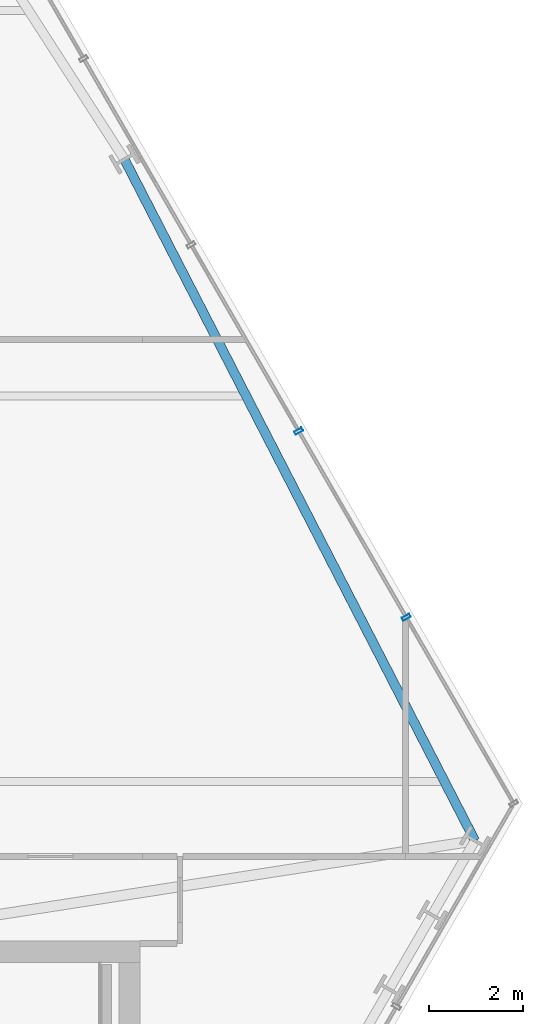
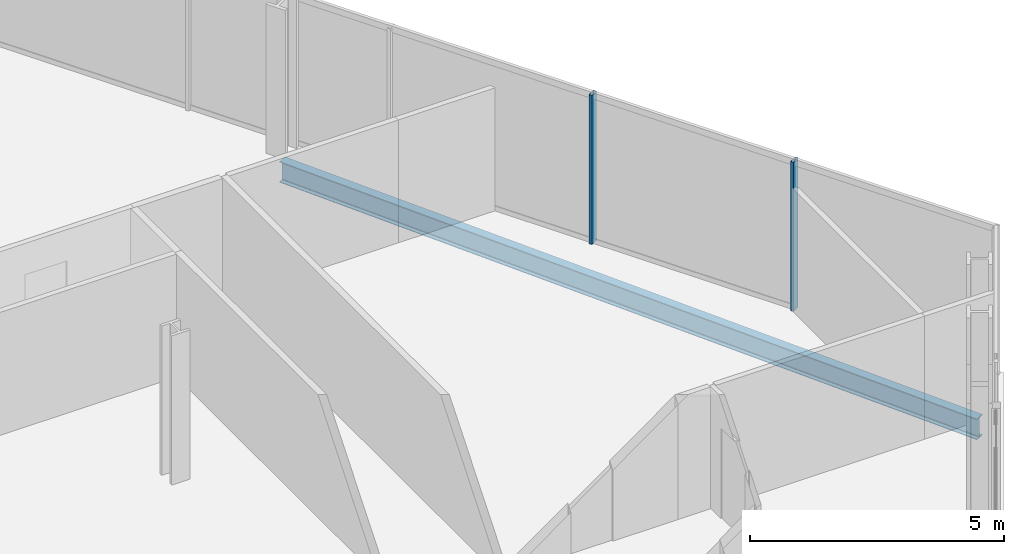
# One storey, part 19 of 32: 2 members, 1 beam, 1 element without a shape of its own.
"""IFC4 building model written with IfcOpenShell, lengths in metres."""

from ifc_helpers import new_model, si_unit, direction, frame, origin, origin_2d, place, context, subcontext, project, spatial, hollow_rectangle, i_section, extrude, material, layer, layer_set, material_profile, profile_set, type_object, element, aggregate, save


model = new_model("IFC4")

# Units and contexts
model_context = context("Model", 3, precision=1e-05, world=origin(), true_north=direction((0.0, 1.0)))
body_context = subcontext(model_context, "Body", "Model", "MODEL_VIEW")
ifc_project = project(units=[si_unit("LENGTHUNIT", "METRE"), si_unit("AREAUNIT", "SQUARE_METRE"), si_unit("VOLUMEUNIT", "CUBIC_METRE"), si_unit("PLANEANGLEUNIT", "RADIAN"), si_unit("MASSUNIT", "GRAM", prefix="KILO")], contexts=[model_context])

# Site, building, storey
site_placement = place(None, origin())
site = spatial("IfcSite", under=ifc_project, at=site_placement, CompositionType="ELEMENT")
building_placement = place(site_placement, origin())
building = spatial("IfcBuilding", under=site, at=building_placement, Name="Ndaravel Arena Tower", CompositionType="ELEMENT")
storey_placement = place(building_placement, frame((0.0, 0.0, 74.0)))
storey = spatial("IfcBuildingStorey", under=building, at=storey_placement, Name="L16", CompositionType="ELEMENT", Elevation=74.0)

# Beam
ifc_material_1 = material(Name="Steel S355", Category="steel")
ifc_material_profile_1 = material_profile(ifc_material_1, i_section(OverallWidth=0.199951171875, OverallDepth=0.5, WebThickness=0.01025390625, FlangeThickness=0.01611328125, FilletRadius=0.02099609375, at=origin_2d()), Name="IPE 500")
ifc_profile_set_1 = profile_set([ifc_material_profile_1], Name="Steel S355")
beam_type = type_object("IfcBeamType", Name="BM-SPAN-IPE500", PredefinedType="SPANDREL", material=ifc_profile_set_1)
beam_placement = place(storey_placement, frame((64.675537109375, 17.336669921875, -0.469970703125), z_axis=(-0.457437664156, 0.8892416901, 0.0), x_axis=(-0.8892416901, -0.457437664156, 0.0)))
element("IfcBeam", 1, at=beam_placement, inside=storey, type_object=beam_type, Name="L16 Perimeter Spandrel Beam SP-09", PredefinedType="SPANDREL", context=body_context, shape_type="SweptSolid", body=[
    extrude(i_section(OverallWidth=0.199951171875, OverallDepth=0.5, WebThickness=0.01025390625, FlangeThickness=0.01611328125, FilletRadius=0.02099609375, at=origin_2d()), origin(), (0.0, 0.0, 1.0), 16.305419921875),
])

# Curtain wall, members
ifc_material_2 = material(Name="Aluminium", Category="aluminium")
ifc_layer = layer(ifc_material_2, 0.179931640625)
ifc_layer_set = layer_set([ifc_layer], Name="Aluminium")
curtain_wall_type = type_object("IfcCurtainWallType", Name="CW-SYS-03", PredefinedType="NOTDEFINED", material=ifc_layer_set)
curtain_wall_placement = place(storey_placement, origin())
curtain_wall = element("IfcCurtainWall", 2, at=curtain_wall_placement, inside=storey, type_object=curtain_wall_type, Name="L16 Faceted Crystal Curtain Wall CW-L16-E03", PredefinedType="NOTDEFINED")
ifc_material_3 = material(Name="Aluminium", Category="aluminium")
ifc_material_profile_2 = material_profile(ifc_material_3, hollow_rectangle(XDim=0.074951171875, YDim=0.179931640625, WallThickness=0.00390625, at=origin_2d()), Name="CW MULLION 75x180x4")
ifc_profile_set_2 = profile_set([ifc_material_profile_2], Name="Aluminium")
member_type = type_object("IfcMemberType", Name="MEM-CW-MUL180", PredefinedType="MULLION", material=ifc_profile_set_2)
member_1_placement = place(storey_placement, frame((63.213623046875, 22.089599609375, 0.0), z_axis=(0.0, 0.0, 1.0), x_axis=(-0.5, 0.866025403784, 0.0)))
member_1 = element("IfcMember", 3, at=member_1_placement, type_object=member_type, Name="CW-L16-E03 Mullion 01", PredefinedType="MULLION", context=body_context, shape_type="SweptSolid", body=[
    extrude(hollow_rectangle(XDim=0.074951171875, YDim=0.179931640625, WallThickness=0.00390625, at=origin_2d()), origin(), (0.0, 0.0, 1.0), 3.580078125),
])
member_2_placement = place(storey_placement, frame((60.92578125, 26.052490234375, 0.0), z_axis=(0.0, 0.0, 1.0), x_axis=(-0.5, 0.866025403784, 0.0)))
member_2 = element("IfcMember", 4, at=member_2_placement, type_object=member_type, Name="CW-L16-E03 Mullion 02", PredefinedType="MULLION", context=body_context, shape_type="SweptSolid", body=[
    extrude(hollow_rectangle(XDim=0.074951171875, YDim=0.179931640625, WallThickness=0.00390625, at=origin_2d()), origin(), (0.0, 0.0, 1.0), 3.580078125),
])
aggregate(curtain_wall, [member_1, member_2])

save(model, "model.ifc")
